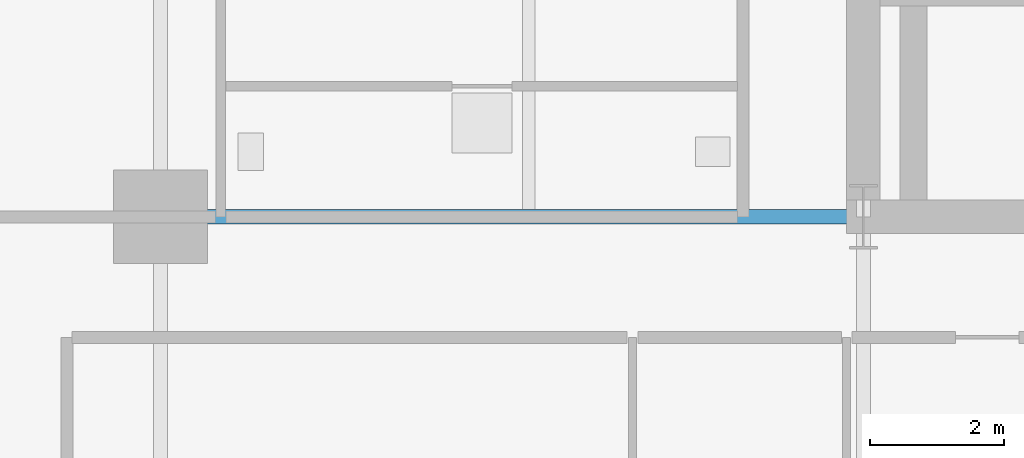
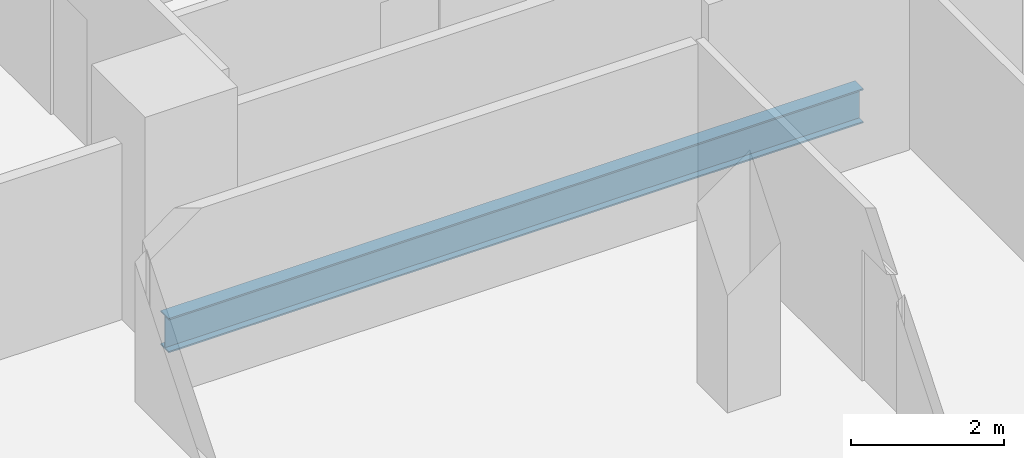
# One storey, part 5 of 23: 1 beam.
"""IFC4 building model written with IfcOpenShell, lengths in metres."""

from ifc_helpers import new_model, si_unit, direction, frame, origin, origin_2d, place, context, subcontext, project, spatial, i_section, extrude, material, material_profile, profile_set, type_object, element, save


model = new_model("IFC4")

# Units and contexts
model_context = context("Model", 3, precision=1e-05, world=origin(), true_north=direction((0.0, 1.0)))
body_context = subcontext(model_context, "Body", "Model", "MODEL_VIEW")
ifc_project = project(units=[si_unit("LENGTHUNIT", "METRE"), si_unit("AREAUNIT", "SQUARE_METRE"), si_unit("VOLUMEUNIT", "CUBIC_METRE"), si_unit("PLANEANGLEUNIT", "RADIAN"), si_unit("MASSUNIT", "GRAM", prefix="KILO")], contexts=[model_context])

# Site, building, storey
site_placement = place(None, origin())
site = spatial("IfcSite", under=ifc_project, at=site_placement, CompositionType="ELEMENT")
building_placement = place(site_placement, origin())
building = spatial("IfcBuilding", under=site, at=building_placement, Name="Barlavira Tower and Art Museum", CompositionType="ELEMENT")
storey_placement = place(building_placement, frame((0.0, 0.0, 68.39990234375)))
storey = spatial("IfcBuildingStorey", under=building, at=storey_placement, Name="L16", CompositionType="ELEMENT", Elevation=68.39990234375)

# Beam
ifc_material = material(Name="Steel S355", Category="steel")
ifc_material_profile = material_profile(ifc_material, i_section(OverallWidth=0.214111328125, OverallDepth=0.549072265625, WebThickness=0.0146484375, FlangeThickness=0.023681640625, at=origin_2d()), Name="W530x138.0")
ifc_profile_set = profile_set([ifc_material_profile], Name="Steel S355")
beam_type = type_object("IfcBeamType", Name="Zone 1 Primary Floor Girder W530x138 Steel S355", PredefinedType="BEAM", material=ifc_profile_set)
beam_placement = place(storey_placement, frame((-17.0, -7.5, -0.494384765625), z_axis=(1.0, 0.0, 0.0), x_axis=(0.0, 1.0, 0.0)))
element("IfcBeam", 1, at=beam_placement, inside=storey, type_object=beam_type, Name="L16 Girder R-W1", PredefinedType="BEAM", context=body_context, shape_type="SweptSolid", body=[
    extrude(i_section(OverallWidth=0.214111328125, OverallDepth=0.549072265625, WebThickness=0.0146484375, FlangeThickness=0.023681640625, at=origin_2d()), origin(), (0.0, 0.0, 1.0), 10.5),
])

save(model, "model.ifc")
